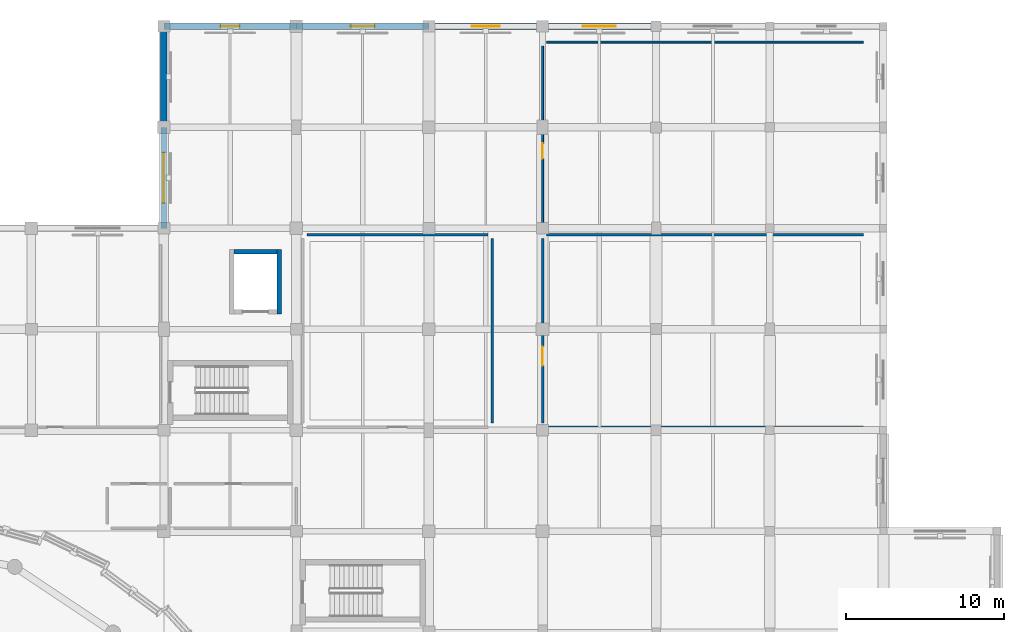
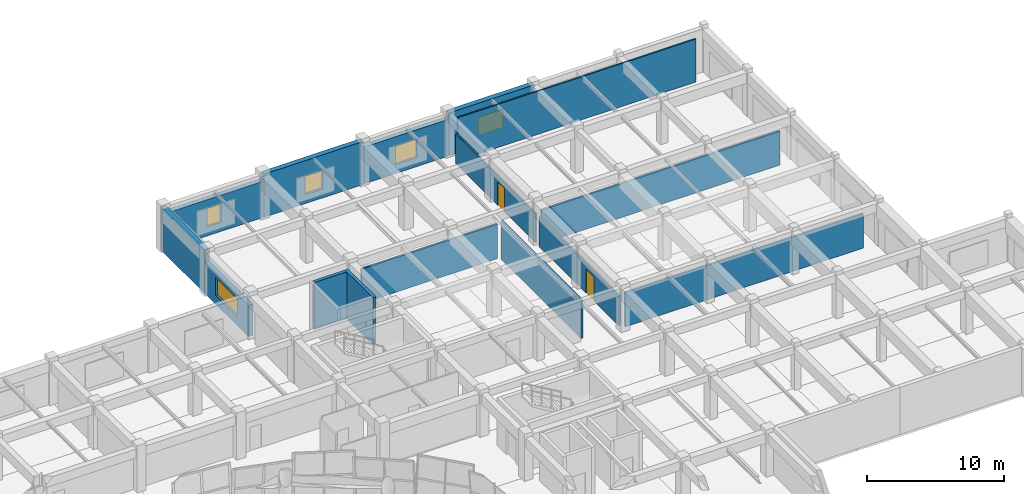
# One storey, part 52 of 71: 15 walls, 5 windows, 2 doors, 7 openings.
"""IFC4 building model written with IfcOpenShell, lengths in metres."""

from ifc_helpers import new_model, si_unit, direction, frame, frame_2d, origin, place, context, subcontext, project, spatial, rectangle, extrude, material, layer, layer_set, type_object, element, fill, save


model = new_model("IFC4")

# Units and contexts
model_context = context("Model", 3, precision=1e-05, world=origin(), true_north=direction((0.0, 1.0)))
body_context = subcontext(model_context, "Body", "Model", "MODEL_VIEW")
ifc_project = project(units=[si_unit("LENGTHUNIT", "METRE"), si_unit("AREAUNIT", "SQUARE_METRE"), si_unit("VOLUMEUNIT", "CUBIC_METRE"), si_unit("PLANEANGLEUNIT", "RADIAN"), si_unit("MASSUNIT", "GRAM", prefix="KILO")], contexts=[model_context])

# Site, building, storey
site_placement = place(None, origin())
site = spatial("IfcSite", under=ifc_project, at=site_placement, CompositionType="ELEMENT")
building_placement = place(site_placement, origin())
building = spatial("IfcBuilding", under=site, at=building_placement, Name="Korsvaeld Concert Hall", CompositionType="ELEMENT")
storey_placement = place(building_placement, frame((0.0, 0.0, 4.800048828125)))
storey = spatial("IfcBuildingStorey", under=building, at=storey_placement, Name="L01", CompositionType="ELEMENT", Elevation=4.800048828125)

# Wall, opening, window
ifc_material_1 = material(Name="Obernkirchener buff sandstone rainscreen on Concrete C35/45", Category="masonry")
ifc_layer_1 = layer(ifc_material_1, 0.389892578125)
ifc_layer_set_1 = layer_set([ifc_layer_1], Name="Obernkirchener buff sandstone rainscreen on Concrete C35/45")
wall_type_1 = type_object("IfcWallType", Name="WL-EXT-BUFF-390", PredefinedType="STANDARD", material=ifc_layer_set_1)
wall_1_placement = place(storey_placement, frame((100.800048828125, 102.39990234375, 0.0), z_axis=(0.0, 0.0, 1.0), x_axis=(0.0, 1.0, 0.0)))
wall_1 = element("IfcWall", 1, at=wall_1_placement, inside=storey, type_object=wall_type_1, Name="Exterior sandstone wall L01-163", PredefinedType="STANDARD", context=body_context, shape_type="SweptSolid", body=[
    extrude(rectangle(XDim=6.400146484375, YDim=0.389892578125, at=frame_2d((3.2001953125, 0.0))), origin(), (0.0, 0.0, 1.0), 2.7900390625),
])
opening_1_placement = place(wall_1_placement, frame((1.60009765625, 0.0, 0.800048828125)))
opening_1 = element("IfcOpeningElement", 2, at=opening_1_placement, cuts=wall_1, Name="Opening WN-15", PredefinedType="OPENING", context=body_context, shape_type="SweptSolid", body=[
    extrude(rectangle(XDim=3.199951171875, YDim=1.60009765625, at=frame_2d((1.60009765625, 0.800048828125))), frame((0.0, 0.205078125, 0.0), z_axis=(0.0, -1.0, 0.0), x_axis=(1.0, 0.0, 0.0)), (0.0, 0.0, 1.0), 0.409912109375),
])
ifc_material_2 = material(Name="Anodised bronze frame with acoustic triple glazing", Category="glass")
window_type_1 = type_object("IfcWindowType", Name="WIN-AC-320x160", PartitioningType="TRIPLE_PANEL_VERTICAL", PredefinedType="WINDOW", material=ifc_material_2)
window_1_placement = place(opening_1_placement, origin())
window_1 = element("IfcWindow", 3, at=window_1_placement, inside=storey, type_object=window_type_1, Name="Acoustic triple-glazed window L01-073", OverallHeight=1.60009765625, OverallWidth=3.199951171875, PartitioningType="TRIPLE_PANEL_VERTICAL", PredefinedType="WINDOW", context=body_context, shape_type="SweptSolid", body=[
    extrude(rectangle(XDim=3.199951171875, YDim=1.60009765625, at=frame_2d((1.60009765625, 0.800048828125))), frame((0.0, 0.030029296875, 0.0), z_axis=(0.0, -1.0, 0.0), x_axis=(1.0, 0.0, 0.0)), (0.0, 0.0, 1.0), 0.06005859375),
])
fill(opening_1, window_1)

wall_2_placement = place(storey_placement, frame((100.800048828125, 115.199951171875, 0.0), z_axis=(0.0, 0.0, 1.0), x_axis=(1.0, 0.0, 0.0)))
wall_2 = element("IfcWall", 4, at=wall_2_placement, inside=storey, type_object=wall_type_1, Name="Exterior sandstone wall L01-165", PredefinedType="STANDARD", context=body_context, shape_type="SweptSolid", body=[
    extrude(rectangle(XDim=8.39990234375, YDim=0.389892578125, at=frame_2d((4.199951171875, 0.0))), origin(), (0.0, 0.0, 1.0), 3.239990234375),
])
opening_2_placement = place(wall_2_placement, frame((3.60009765625, 0.0, 0.800048828125)))
opening_2 = element("IfcOpeningElement", 5, at=opening_2_placement, cuts=wall_2, Name="Opening WN-01", PredefinedType="OPENING", context=body_context, shape_type="SweptSolid", body=[
    extrude(rectangle(XDim=1.199951171875, YDim=1.64990234375, at=frame_2d((0.60009765625, 0.824951171875))), frame((0.0, 0.205078125, 0.0), z_axis=(0.0, -1.0, 0.0), x_axis=(1.0, 0.0, 0.0)), (0.0, 0.0, 1.0), 0.409912109375),
])
window_type_2 = type_object("IfcWindowType", Name="WIN-AC-120x165", PartitioningType="SINGLE_PANEL", PredefinedType="WINDOW", material=ifc_material_2)
window_2_placement = place(opening_2_placement, origin())
window_2 = element("IfcWindow", 6, at=window_2_placement, inside=storey, type_object=window_type_2, Name="Acoustic triple-glazed window L01-075", OverallHeight=1.64990234375, OverallWidth=1.199951171875, PartitioningType="SINGLE_PANEL", PredefinedType="WINDOW", context=body_context, shape_type="SweptSolid", body=[
    extrude(rectangle(XDim=1.199951171875, YDim=1.64990234375, at=frame_2d((0.60009765625, 0.824951171875))), frame((0.0, 0.030029296875, 0.0), z_axis=(0.0, -1.0, 0.0), x_axis=(1.0, 0.0, 0.0)), (0.0, 0.0, 1.0), 0.06005859375),
])
fill(opening_2, window_2)

wall_3_placement = place(storey_placement, frame((117.60009765625, 115.199951171875, 0.0), z_axis=(0.0, 0.0, 1.0), x_axis=(1.0, 0.0, 0.0)))
wall_3 = element("IfcWall", 7, at=wall_3_placement, inside=storey, type_object=wall_type_1, Name="Exterior sandstone wall L01-167", PredefinedType="STANDARD", context=body_context, shape_type="SweptSolid", body=[
    extrude(rectangle(XDim=7.199951171875, YDim=0.389892578125, at=frame_2d((3.60009765625, 0.0))), origin(), (0.0, 0.0, 1.0), 3.2900390625),
])
opening_3_placement = place(wall_3_placement, frame((2.699951171875, 0.0, 0.800048828125)))
opening_3 = element("IfcOpeningElement", 8, at=opening_3_placement, cuts=wall_3, Name="Opening WN-03", PredefinedType="OPENING", context=body_context, shape_type="SweptSolid", body=[
    extrude(rectangle(XDim=1.800048828125, YDim=1.64990234375, at=frame_2d((0.89990234375, 0.824951171875))), frame((0.0, 0.205078125, 0.0), z_axis=(0.0, -1.0, 0.0), x_axis=(1.0, 0.0, 0.0)), (0.0, 0.0, 1.0), 0.409912109375),
])
window_type_3 = type_object("IfcWindowType", Name="WIN-AC-180x165", PartitioningType="SINGLE_PANEL", PredefinedType="WINDOW", material=ifc_material_2)
window_3_placement = place(opening_3_placement, origin())
window_3 = element("IfcWindow", 9, at=window_3_placement, inside=storey, type_object=window_type_3, Name="Acoustic triple-glazed window L01-077", OverallHeight=1.64990234375, OverallWidth=1.800048828125, PartitioningType="SINGLE_PANEL", PredefinedType="WINDOW", context=body_context, shape_type="SweptSolid", body=[
    extrude(rectangle(XDim=1.800048828125, YDim=1.64990234375, at=frame_2d((0.89990234375, 0.824951171875))), frame((0.0, 0.030029296875, 0.0), z_axis=(0.0, -1.0, 0.0), x_axis=(1.0, 0.0, 0.0)), (0.0, 0.0, 1.0), 0.06005859375),
])
fill(opening_3, window_3)

# Wall
ifc_material_3 = material(Name="Bornholm Nexo rose-red sandstone rainscreen on Concrete C35/45", Category="masonry")
ifc_layer_2 = layer(ifc_material_3, 0.419921875)
ifc_layer_set_2 = layer_set([ifc_layer_2], Name="Bornholm Nexo rose-red sandstone rainscreen on Concrete C35/45")
wall_type_2 = type_object("IfcWallType", Name="WL-EXT-NEXO-420", PredefinedType="STANDARD", material=ifc_layer_set_2)
wall_4_placement = place(storey_placement, frame((100.800048828125, 108.800048828125, 0.0), z_axis=(0.0, 0.0, 1.0), x_axis=(0.0, 1.0, 0.0)))
element("IfcWall", 10, at=wall_4_placement, inside=storey, type_object=wall_type_2, Name="Exterior sandstone wall L01-164", PredefinedType="STANDARD", context=body_context, shape_type="SweptSolid", body=[
    extrude(rectangle(XDim=6.39990234375, YDim=0.419921875, at=frame_2d((3.199951171875, 0.0))), origin(), (0.0, 0.0, 1.0), 3.83984375),
])

# Wall, opening, window
wall_5_placement = place(storey_placement, frame((109.199951171875, 115.199951171875, 0.0), z_axis=(0.0, 0.0, 1.0), x_axis=(1.0, 0.0, 0.0)))
wall_5 = element("IfcWall", 11, at=wall_5_placement, inside=storey, type_object=wall_type_2, Name="Exterior sandstone wall L01-166", PredefinedType="STANDARD", context=body_context, shape_type="SweptSolid", body=[
    extrude(rectangle(XDim=8.400146484375, YDim=0.419921875, at=frame_2d((4.2001953125, 0.0))), origin(), (0.0, 0.0, 1.0), 3.83984375),
])
opening_4_placement = place(wall_5_placement, frame((3.449951171875, 0.0, 0.800048828125)))
opening_4 = element("IfcOpeningElement", 12, at=opening_4_placement, cuts=wall_5, Name="Opening WN-02", PredefinedType="OPENING", context=body_context, shape_type="SweptSolid", body=[
    extrude(rectangle(XDim=1.5, YDim=1.64990234375, at=frame_2d((0.75, 0.824951171875))), frame((0.0, 0.219970703125, 0.0), z_axis=(0.0, -1.0, 0.0), x_axis=(1.0, 0.0, 0.0)), (0.0, 0.0, 1.0), 0.43994140625),
])
window_type_4 = type_object("IfcWindowType", Name="WIN-AC-150x165", PartitioningType="SINGLE_PANEL", PredefinedType="WINDOW", material=ifc_material_2)
window_4_placement = place(opening_4_placement, origin())
window_4 = element("IfcWindow", 13, at=window_4_placement, inside=storey, type_object=window_type_4, Name="Acoustic triple-glazed window L01-076", OverallHeight=1.64990234375, OverallWidth=1.5, PartitioningType="SINGLE_PANEL", PredefinedType="WINDOW", context=body_context, shape_type="SweptSolid", body=[
    extrude(rectangle(XDim=1.5, YDim=1.64990234375, at=frame_2d((0.75, 0.824951171875))), frame((0.0, 0.030029296875, 0.0), z_axis=(0.0, -1.0, 0.0), x_axis=(1.0, 0.0, 0.0)), (0.0, 0.0, 1.0), 0.06005859375),
])
fill(opening_4, window_4)

wall_6_placement = place(storey_placement, frame((124.800048828125, 115.199951171875, 0.0), z_axis=(0.0, 0.0, 1.0), x_axis=(1.0, 0.0, 0.0)))
wall_6 = element("IfcWall", 14, at=wall_6_placement, inside=storey, type_object=wall_type_2, Name="Exterior sandstone wall L01-168", PredefinedType="STANDARD", context=body_context, shape_type="SweptSolid", body=[
    extrude(rectangle(XDim=7.199951171875, YDim=0.419921875, at=frame_2d((3.60009765625, 0.0))), origin(), (0.0, 0.0, 1.0), 3.83984375),
])
opening_5_placement = place(wall_6_placement, frame((2.550048828125, 0.0, 0.800048828125)))
opening_5 = element("IfcOpeningElement", 15, at=opening_5_placement, cuts=wall_6, Name="Opening WN-04", PredefinedType="OPENING", context=body_context, shape_type="SweptSolid", body=[
    extrude(rectangle(XDim=2.10009765625, YDim=1.64990234375, at=frame_2d((1.050048828125, 0.824951171875))), frame((0.0, 0.219970703125, 0.0), z_axis=(0.0, -1.0, 0.0), x_axis=(1.0, 0.0, 0.0)), (0.0, 0.0, 1.0), 0.43994140625),
])
window_type_5 = type_object("IfcWindowType", Name="WIN-AC-210x165", PartitioningType="SINGLE_PANEL", PredefinedType="WINDOW", material=ifc_material_2)
window_5_placement = place(opening_5_placement, origin())
window_5 = element("IfcWindow", 16, at=window_5_placement, inside=storey, type_object=window_type_5, Name="Acoustic triple-glazed window L01-078", OverallHeight=1.64990234375, OverallWidth=2.10009765625, PartitioningType="SINGLE_PANEL", PredefinedType="WINDOW", context=body_context, shape_type="SweptSolid", body=[
    extrude(rectangle(XDim=2.10009765625, YDim=1.64990234375, at=frame_2d((1.050048828125, 0.824951171875))), frame((0.0, 0.030029296875, 0.0), z_axis=(0.0, -1.0, 0.0), x_axis=(1.0, 0.0, 0.0)), (0.0, 0.0, 1.0), 0.06005859375),
])
fill(opening_5, window_5)

# Wall
ifc_material_4 = material(Name="Insulated acoustic gypsum partition")
ifc_layer_3 = layer(ifc_material_4, 0.125)
ifc_layer_set_3 = layer_set([ifc_layer_3], Name="Insulated acoustic gypsum partition")
wall_type_3 = type_object("IfcWallType", Name="WL-PART-125", PredefinedType="PARTITIONING", material=ifc_layer_set_3)
wall_7_placement = place(storey_placement, frame((145.139892578125, 114.199951171875, 0.0), z_axis=(0.0, 0.0, 1.0), x_axis=(-1.0, 0.0, 0.0)))
element("IfcWall", 17, at=wall_7_placement, inside=storey, type_object=wall_type_3, Name="Interior partition L01-24 N", PredefinedType="PARTITIONING", context=body_context, shape_type="SweptSolid", body=[
    extrude(rectangle(XDim=20.079833984375, YDim=0.125, at=frame_2d((10.0400390625, 0.0))), origin(), (0.0, 0.0, 1.0), 3.83984375),
])

# Wall, opening, door
wall_8_placement = place(storey_placement, frame((124.800048828125, 113.93994140625, 0.0), z_axis=(0.0, 0.0, 1.0), x_axis=(0.0, -1.0, 0.0)))
wall_8 = element("IfcWall", 18, at=wall_8_placement, inside=storey, type_object=wall_type_3, Name="Interior partition L01-24 W", PredefinedType="PARTITIONING", context=body_context, shape_type="SweptSolid", body=[
    extrude(rectangle(XDim=11.679931640625, YDim=0.125, at=frame_2d((5.83984375, 0.0))), origin(), (0.0, 0.0, 1.0), 2.614990234375),
])
opening_6_placement = place(wall_8_placement, frame((6.14990234375, 0.0, 0.0)))
opening_6 = element("IfcOpeningElement", 19, at=opening_6_placement, cuts=wall_8, Name="Opening ID-03", PredefinedType="OPENING", context=body_context, shape_type="SweptSolid", body=[
    extrude(rectangle(XDim=0.97998046875, YDim=2.10009765625, at=frame_2d((0.489990234375, 1.050048828125))), frame((0.0, 0.072509765625, 0.0), z_axis=(0.0, -1.0, 0.0), x_axis=(1.0, 0.0, 0.0)), (0.0, 0.0, 1.0), 0.14501953125),
])
ifc_material_5 = material(Name="European oak dressing room door")
door_type_1 = type_object("IfcDoorType", Name="DR-INT-DRS-098x210", OperationType="NOTDEFINED", PredefinedType="DOOR", material=ifc_material_5)
door_1_placement = place(opening_6_placement, origin())
door_1 = element("IfcDoor", 20, at=door_1_placement, inside=storey, type_object=door_type_1, Name="Chorus Dressing Suite L01 East door L01-24", OperationType="SINGLE_SWING_LEFT", OverallHeight=2.10009765625, OverallWidth=0.97998046875, PredefinedType="DOOR", context=body_context, shape_type="SweptSolid", body=[
    extrude(rectangle(XDim=0.97998046875, YDim=2.10009765625, at=frame_2d((0.489990234375, 1.050048828125))), frame((0.0, 0.02490234375, 0.0), z_axis=(0.0, -1.0, 0.0), x_axis=(1.0, 0.0, 0.0)), (0.0, 0.0, 1.0), 0.050048828125),
])
fill(opening_6, door_1)

# Walls
ifc_material_6 = material(Name="Double-stud acoustic rehearsal partition")
ifc_layer_4 = layer(ifc_material_6, 0.159912109375)
ifc_layer_set_4 = layer_set([ifc_layer_4], Name="Double-stud acoustic rehearsal partition")
wall_type_4 = type_object("IfcWallType", Name="WL-PART-160", PredefinedType="PARTITIONING", material=ifc_layer_set_4)
wall_9_placement = place(storey_placement, frame((121.60009765625, 90.06005859375, 0.0), z_axis=(0.0, 0.0, 1.0), x_axis=(0.0, 1.0, 0.0)))
element("IfcWall", 21, at=wall_9_placement, inside=storey, type_object=wall_type_4, Name="Interior partition L01-22 E", PredefinedType="PARTITIONING", context=body_context, shape_type="SweptSolid", body=[
    extrude(rectangle(XDim=11.679931640625, YDim=0.159912109375, at=frame_2d((5.83984375, 0.0))), origin(), (0.0, 0.0, 1.0), 3.4150390625),
])
wall_10_placement = place(storey_placement, frame((121.340087890625, 102.0, 0.0), z_axis=(0.0, 0.0, 1.0), x_axis=(-1.0, 0.0, 0.0)))
element("IfcWall", 22, at=wall_10_placement, inside=storey, type_object=wall_type_4, Name="Interior partition L01-22 N", PredefinedType="PARTITIONING", context=body_context, shape_type="SweptSolid", body=[
    extrude(rectangle(XDim=11.47998046875, YDim=0.159912109375, at=frame_2d((5.739990234375, 0.0))), origin(), (0.0, 0.0, 1.0), 3.06494140625),
])
wall_11_placement = place(storey_placement, frame((125.06005859375, 89.800048828125, 0.0), z_axis=(0.0, 0.0, 1.0), x_axis=(1.0, 0.0, 0.0)))
element("IfcWall", 23, at=wall_11_placement, inside=storey, type_object=wall_type_4, Name="Interior partition L01-23 S", PredefinedType="PARTITIONING", context=body_context, shape_type="SweptSolid", body=[
    extrude(rectangle(XDim=20.079833984375, YDim=0.159912109375, at=frame_2d((10.0400390625, 0.0))), origin(), (0.0, 0.0, 1.0), 3.06494140625),
])
wall_12_placement = place(storey_placement, frame((145.139892578125, 102.0, 0.0), z_axis=(0.0, 0.0, 1.0), x_axis=(-1.0, 0.0, 0.0)))
element("IfcWall", 24, at=wall_12_placement, inside=storey, type_object=wall_type_4, Name="Interior partition L01-23 N", PredefinedType="PARTITIONING", context=body_context, shape_type="SweptSolid", body=[
    extrude(rectangle(XDim=20.079833984375, YDim=0.159912109375, at=frame_2d((10.0400390625, 0.0))), origin(), (0.0, 0.0, 1.0), 3.014892578125),
])

# Wall, opening, door
wall_13_placement = place(storey_placement, frame((124.800048828125, 101.739990234375, 0.0), z_axis=(0.0, 0.0, 1.0), x_axis=(0.0, -1.0, 0.0)))
wall_13 = element("IfcWall", 25, at=wall_13_placement, inside=storey, type_object=wall_type_4, Name="Interior partition L01-23 W", PredefinedType="PARTITIONING", context=body_context, shape_type="SweptSolid", body=[
    extrude(rectangle(XDim=11.679931640625, YDim=0.159912109375, at=frame_2d((5.83984375, 0.0))), origin(), (0.0, 0.0, 1.0), 2.6650390625),
])
opening_7_placement = place(wall_13_placement, frame((6.840087890625, 0.0, 0.0)))
opening_7 = element("IfcOpeningElement", 26, at=opening_7_placement, cuts=wall_13, Name="Opening ID-01", PredefinedType="OPENING", context=body_context, shape_type="SweptSolid", body=[
    extrude(rectangle(XDim=1.199951171875, YDim=2.14990234375, at=frame_2d((0.60009765625, 1.074951171875))), frame((0.0, 0.08984375, 0.0), z_axis=(0.0, -1.0, 0.0), x_axis=(1.0, 0.0, 0.0)), (0.0, 0.0, 1.0), 0.179931640625),
])
ifc_material_7 = material(Name="Solid European oak acoustic studio door")
door_type_2 = type_object("IfcDoorType", Name="DR-INT-REH-120x215", OperationType="NOTDEFINED", PredefinedType="DOOR", material=ifc_material_7)
door_2_placement = place(opening_7_placement, origin())
door_2 = element("IfcDoor", 27, at=door_2_placement, inside=storey, type_object=door_type_2, Name="Ensemble Rehearsal Room L01-06 door L01-23", OperationType="SINGLE_SWING_RIGHT", OverallHeight=2.14990234375, OverallWidth=1.199951171875, PredefinedType="DOOR", context=body_context, shape_type="SweptSolid", body=[
    extrude(rectangle(XDim=1.199951171875, YDim=2.14990234375, at=frame_2d((0.60009765625, 1.074951171875))), frame((0.0, 0.02490234375, 0.0), z_axis=(0.0, -1.0, 0.0), x_axis=(1.0, 0.0, 0.0)), (0.0, 0.0, 1.0), 0.050048828125),
])
fill(opening_7, door_2)

# Walls
ifc_material_8 = material(Name="Concrete C40/50", Category="concrete")
ifc_layer_5 = layer(ifc_material_8, 0.280029296875)
ifc_layer_set_5 = layer_set([ifc_layer_5], Name="Concrete C40/50")
wall_type_5 = type_object("IfcWallType", Name="WL-SHAFT-280", PredefinedType="SHEAR", material=ifc_layer_set_5)
wall_14_placement = place(storey_placement, frame((108.10009765625, 96.9599609375, 0.0), z_axis=(0.0, 0.0, 1.0), x_axis=(0.0, 1.0, 0.0)))
element("IfcWall", 28, at=wall_14_placement, inside=storey, type_object=wall_type_5, Name="Lift LG-02 shaft wall L01 E", PredefinedType="SHEAR", context=body_context, shape_type="SweptSolid", body=[
    extrude(rectangle(XDim=4.080078125, YDim=0.280029296875, at=frame_2d((2.0400390625, 0.0))), origin(), (0.0, 0.0, 1.0), 4.199951171875),
])
wall_15_placement = place(storey_placement, frame((107.9599609375, 100.89990234375, 0.0), z_axis=(0.0, 0.0, 1.0), x_axis=(-1.0, 0.0, 0.0)))
element("IfcWall", 29, at=wall_15_placement, inside=storey, type_object=wall_type_5, Name="Lift LG-02 shaft wall L01 N", PredefinedType="SHEAR", context=body_context, shape_type="SweptSolid", body=[
    extrude(rectangle(XDim=2.719970703125, YDim=0.280029296875, at=frame_2d((1.35986328125, 0.0))), origin(), (0.0, 0.0, 1.0), 4.199951171875),
])

save(model, "model.ifc")
